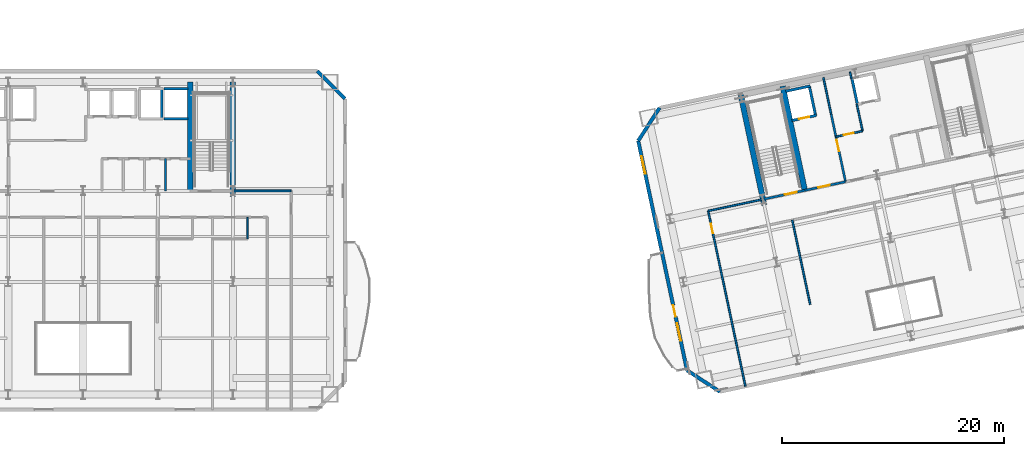
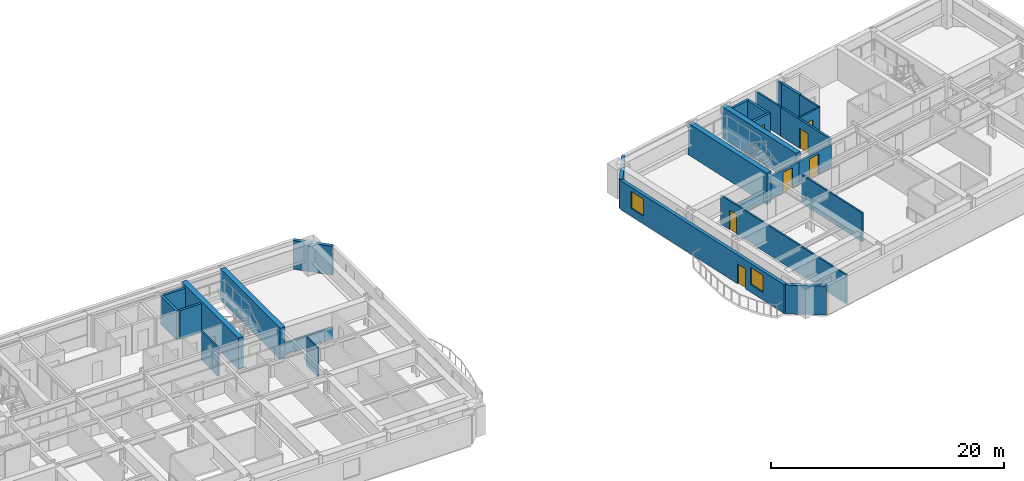
# One storey, part 9 of 15: 28 walls, 7 doors, 2 windows, 9 openings.
"""IFC4 building model written with IfcOpenShell, lengths in metres."""

from ifc_helpers import new_model, si_unit, direction, frame, frame_2d, origin, place, context, subcontext, project, spatial, rectangle, extrude, material, layer, layer_set, type_object, element, fill, save


model = new_model("IFC4")

# Units and contexts
model_context = context("Model", 3, precision=1e-05, world=origin(), true_north=direction((0.0, 1.0)))
body_context = subcontext(model_context, "Body", "Model", "MODEL_VIEW")
ifc_project = project(units=[si_unit("LENGTHUNIT", "METRE"), si_unit("AREAUNIT", "SQUARE_METRE"), si_unit("VOLUMEUNIT", "CUBIC_METRE"), si_unit("PLANEANGLEUNIT", "RADIAN"), si_unit("MASSUNIT", "GRAM", prefix="KILO")], contexts=[model_context])

# Site, building, storey
site_placement = place(None, origin())
site = spatial("IfcSite", under=ifc_project, at=site_placement, CompositionType="ELEMENT")
building_placement = place(site_placement, origin())
building = spatial("IfcBuilding", under=site, at=building_placement, Name="Haevon Station Towers", CompositionType="ELEMENT")
storey_placement = place(building_placement, frame((0.0, 0.0, 109.800048828125)))
storey = spatial("IfcBuildingStorey", under=building, at=storey_placement, Name="L29", CompositionType="ELEMENT", Elevation=109.800048828125)

# Wall
ifc_material_1 = material(Name="Gypsum board on steel stud", Category="steel")
ifc_layer_1 = layer(ifc_material_1, 0.179931640625)
ifc_layer_set_1 = layer_set([ifc_layer_1], Name="Gypsum board on steel stud")
wall_type_1 = type_object("IfcWallType", Name="WL-ACU180", PredefinedType="PARTITIONING", material=ifc_layer_set_1)
wall_1_placement = place(storey_placement, frame((51.0, 38.199951171875, 0.0), z_axis=(0.0, 0.0, 1.0), x_axis=(1.0, 0.0, 0.0)))
element("IfcWall", 1, at=wall_1_placement, inside=storey, type_object=wall_type_1, Name="WL-T1PT-L29-03", PredefinedType="PARTITIONING", context=body_context, shape_type="SweptSolid", body=[
    extrude(rectangle(XDim=5.25, YDim=0.179931640625, at=frame_2d((2.625, 0.0))), origin(), (0.0, 0.0, 1.0), 1.22998046875),
])

# Wall, opening, door
ifc_layer_2 = layer(ifc_material_1, 0.199951171875)
ifc_layer_set_2 = layer_set([ifc_layer_2], Name="Gypsum board on steel stud")
wall_type_2 = type_object("IfcWallType", Name="WL-COR200", PredefinedType="PARTITIONING", material=ifc_layer_set_2)
wall_2_placement = place(storey_placement, frame((98.75244140625, 37.4423828125, 0.0), z_axis=(0.0, 0.0, 1.0), x_axis=(0.978143537786, 0.207930804564, 0.0)))
wall_2 = element("IfcWall", 2, at=wall_2_placement, inside=storey, type_object=wall_type_2, Name="WL-ST-ST3-L29", PredefinedType="PARTITIONING", context=body_context, shape_type="SweptSolid", body=[
    extrude(rectangle(XDim=3.85009765625, YDim=0.199951171875, at=frame_2d((1.925048828125, 0.0))), origin(), (0.0, 0.0, 1.0), 2.3798828125),
])
opening_1_placement = place(wall_2_placement, frame((2.0, 0.0, 0.0)))
opening_1 = element("IfcOpeningElement", 3, at=opening_1_placement, cuts=wall_2, Name="Opening DR-ST-ST3-L29", PredefinedType="OPENING", context=body_context, shape_type="SweptSolid", body=[
    extrude(rectangle(XDim=1.1201171875, YDim=2.10009765625, at=frame_2d((0.56005859375, 1.050048828125))), frame((0.0, 0.10986328125, 0.0), z_axis=(0.0, -1.0, 0.0), x_axis=(1.0, 0.0, 0.0)), (0.0, 0.0, 1.0), 0.219970703125),
])
ifc_material_2 = material(Name="Engineered oak timber", Category="wood")
door_type_1 = type_object("IfcDoorType", Name="DR-ST-1120", OperationType="NOTDEFINED", PredefinedType="DOOR", material=ifc_material_2)
door_1_placement = place(opening_1_placement, origin())
door_1 = element("IfcDoor", 4, at=door_1_placement, inside=storey, type_object=door_type_1, Name="L29 Escape Stair ST3 Fire Door", OperationType="SINGLE_SWING_LEFT", OverallHeight=2.10009765625, OverallWidth=1.1201171875, PredefinedType="DOOR", context=body_context, shape_type="SweptSolid", body=[
    extrude(rectangle(XDim=1.1201171875, YDim=2.10009765625, at=frame_2d((0.56005859375, 1.050048828125))), frame((0.0, 0.02490234375, 0.0), z_axis=(0.0, -1.0, 0.0), x_axis=(1.0, 0.0, 0.0)), (0.0, 0.0, 1.0), 0.050048828125),
])
fill(opening_1, door_1)

wall_3_placement = place(storey_placement, frame((106.186279296875, 39.0224609375, 0.0), z_axis=(0.0, 0.0, 1.0), x_axis=(-0.207916691923, 0.978146537703, 0.0)))
wall_3 = element("IfcWall", 5, at=wall_3_placement, inside=storey, type_object=wall_type_2, Name="WL-T2FFL-L29-E", PredefinedType="PARTITIONING", context=body_context, shape_type="SweptSolid", body=[
    extrude(rectangle(XDim=6.35009765625, YDim=0.199951171875, at=frame_2d((3.175048828125, 0.0))), origin(), (0.0, 0.0, 1.0), 3.030029296875),
])
opening_2_placement = place(wall_3_placement, frame((2.800048828125, 0.0, 0.0)))
opening_2 = element("IfcOpeningElement", 6, at=opening_2_placement, cuts=wall_3, Name="Opening DR-T2FFL-L29-E", PredefinedType="OPENING", context=body_context, shape_type="SweptSolid", body=[
    extrude(rectangle(XDim=1.050048828125, YDim=2.10009765625, at=frame_2d((0.52490234375, 1.050048828125))), frame((0.0, 0.10986328125, 0.0), z_axis=(0.0, -1.0, 0.0), x_axis=(1.0, 0.0, 0.0)), (0.0, 0.0, 1.0), 0.219970703125),
])
door_type_2 = type_object("IfcDoorType", Name="DR-FD60-1050", OperationType="NOTDEFINED", PredefinedType="DOOR", material=ifc_material_2)
door_2_placement = place(opening_2_placement, origin())
door_2 = element("IfcDoor", 7, at=door_2_placement, inside=storey, type_object=door_type_2, Name="L29 Tower 2 Firefighting Lift Lobby Door E", OperationType="SINGLE_SWING_LEFT", OverallHeight=2.10009765625, OverallWidth=1.050048828125, PredefinedType="DOOR", context=body_context, shape_type="SweptSolid", body=[
    extrude(rectangle(XDim=1.050048828125, YDim=2.10009765625, at=frame_2d((0.52490234375, 1.050048828125))), frame((0.0, 0.02490234375, 0.0), z_axis=(0.0, -1.0, 0.0), x_axis=(1.0, 0.0, 0.0)), (0.0, 0.0, 1.0), 0.050048828125),
])
fill(opening_2, door_2)

wall_4_placement = place(storey_placement, frame((102.518310546875, 38.242919921875, 0.0), z_axis=(0.0, 0.0, 1.0), x_axis=(0.978153555683, 0.20788367301, 0.0)))
wall_4 = element("IfcWall", 8, at=wall_4_placement, inside=storey, type_object=wall_type_2, Name="WL-T2FFL-L29-S", PredefinedType="PARTITIONING", context=body_context, shape_type="SweptSolid", body=[
    extrude(rectangle(XDim=3.75, YDim=0.199951171875, at=frame_2d((1.875, 0.0))), origin(), (0.0, 0.0, 1.0), 2.3798828125),
])
opening_3_placement = place(wall_4_placement, frame((1.25, 0.0, 0.0)))
opening_3 = element("IfcOpeningElement", 9, at=opening_3_placement, cuts=wall_4, Name="Opening DR-T2FFL-L29-S", PredefinedType="OPENING", context=body_context, shape_type="SweptSolid", body=[
    extrude(rectangle(XDim=1.050048828125, YDim=2.10009765625, at=frame_2d((0.52490234375, 1.050048828125))), frame((0.0, 0.10986328125, 0.0), z_axis=(0.0, -1.0, 0.0), x_axis=(1.0, 0.0, 0.0)), (0.0, 0.0, 1.0), 0.219970703125),
])
door_3_placement = place(opening_3_placement, origin())
door_3 = element("IfcDoor", 10, at=door_3_placement, inside=storey, type_object=door_type_2, Name="L29 Tower 2 Firefighting Lift Lobby Door S", OperationType="SINGLE_SWING_RIGHT", OverallHeight=2.10009765625, OverallWidth=1.050048828125, PredefinedType="DOOR", context=body_context, shape_type="SweptSolid", body=[
    extrude(rectangle(XDim=1.050048828125, YDim=2.10009765625, at=frame_2d((0.52490234375, 1.050048828125))), frame((0.0, 0.02490234375, 0.0), z_axis=(0.0, -1.0, 0.0), x_axis=(1.0, 0.0, 0.0)), (0.0, 0.0, 1.0), 0.050048828125),
])
fill(opening_3, door_3)

# Walls
ifc_material_3 = material(Name="Concrete C60/75", Category="concrete")
ifc_layer_3 = layer(ifc_material_3, 0.5)
ifc_layer_set_3 = layer_set([ifc_layer_3], Name="Concrete C60/75")
wall_type_3 = type_object("IfcWallType", Name="WL-CR500", PredefinedType="SHEAR", material=ifc_layer_set_3)
wall_5_placement = place(storey_placement, frame((51.0, 37.679931640625, 0.0), z_axis=(0.0, 0.0, 1.0), x_axis=(0.0, 1.0, 0.0)))
element("IfcWall", 11, at=wall_5_placement, inside=storey, type_object=wall_type_3, Name="WL-T1CR-L29-E", PredefinedType="SHEAR", context=body_context, shape_type="SweptSolid", body=[
    extrude(rectangle(XDim=10.320068359375, YDim=0.5, at=frame_2d((5.16015625, 0.0))), origin(), (0.0, 0.0, 1.0), 3.300048828125),
])
wall_6_placement = place(storey_placement, frame((47.14990234375, 38.199951171875, 0.0), z_axis=(0.0, 0.0, 1.0), x_axis=(0.0, 1.0, 0.0)))
element("IfcWall", 12, at=wall_6_placement, inside=storey, type_object=wall_type_3, Name="WL-T1CR-L29-M2", PredefinedType="SHEAR", context=body_context, shape_type="SweptSolid", body=[
    extrude(rectangle(XDim=9.800048828125, YDim=0.5, at=frame_2d((4.89990234375, 0.0))), origin(), (0.0, 0.0, 1.0), 3.300048828125),
])
wall_7_placement = place(storey_placement, frame((98.8603515625, 36.933837890625, 0.0), z_axis=(0.0, 0.0, 1.0), x_axis=(-0.20790924889, 0.978148119778, 0.0)))
element("IfcWall", 13, at=wall_7_placement, inside=storey, type_object=wall_type_3, Name="WL-T2CR-L29-W", PredefinedType="SHEAR", context=body_context, shape_type="SweptSolid", body=[
    extrude(rectangle(XDim=10.119873046875, YDim=0.5, at=frame_2d((5.06005859375, 0.0))), origin(), (0.0, 0.0, 1.0), 3.300048828125),
])
wall_8_placement = place(storey_placement, frame((102.518310546875, 38.242919921875, 0.0), z_axis=(0.0, 0.0, 1.0), x_axis=(-0.207927495108, 0.978144241295, 0.0)))
element("IfcWall", 14, at=wall_8_placement, inside=storey, type_object=wall_type_3, Name="WL-T2CR-L29-M1", PredefinedType="SHEAR", context=body_context, shape_type="SweptSolid", body=[
    extrude(rectangle(XDim=9.599853515625, YDim=0.5, at=frame_2d((4.7998046875, 0.0))), origin(), (0.0, 0.0, 1.0), 3.300048828125),
])
ifc_material_4 = material(Name="Precast concrete C45/55", Category="concrete")
ifc_layer_4 = layer(ifc_material_4, 0.320068359375)
ifc_layer_set_4 = layer_set([ifc_layer_4], Name="Precast concrete C45/55")
wall_type_4 = type_object("IfcWallType", Name="WL-EXT-PIER320", PredefinedType="SOLIDWALL", material=ifc_layer_set_4)
for number, where, z_axis, x_axis, name in (
    (15, (58.60009765625, 49.0, 0.0), (0.0, 0.0, 1.0), (0.707106781187, -0.707106781187, 0.0), "WL-T1-L29-NEC"),
    (16, (94.871826171875, 20.106689453125, 0.0), (0.0, 0.0, 1.0), (-0.838640767148, 0.544684921471, 0.0), "WL-T2-L29-SWC"),
):
    element("IfcWall", number, at=place(storey_placement, frame(where, z_axis=z_axis, x_axis=x_axis)), inside=storey, type_object=wall_type_4, Name=name, PredefinedType="SOLIDWALL", context=body_context, shape_type="SweptSolid", body=[
        extrude(rectangle(XDim=3.53564453125, YDim=0.320068359375, at=frame_2d((1.767822265625, 0.0))), origin(), (0.0, 0.0, 1.0), 3.030029296875),
    ])

# Wall, openings, door, windows
wall_9_placement = place(storey_placement, frame((91.90673828125, 22.032470703125, 0.0), z_axis=(0.0, 0.0, 1.0), x_axis=(-0.207918258146, 0.978146204782, 0.0)))
wall_9 = element("IfcWall", 17, at=wall_9_placement, inside=storey, type_object=wall_type_4, Name="WL-T2-L29-W", PredefinedType="SOLIDWALL", context=body_context, shape_type="SweptSolid", body=[
    extrude(rectangle(XDim=21.14990234375, YDim=0.320068359375, at=frame_2d((10.574951171875, 0.0))), origin(), (0.0, 0.0, 1.0), 3.030029296875),
])
opening_4_placement = place(wall_9_placement, frame((4.949951171875, 0.0, 0.0)))
opening_4 = element("IfcOpeningElement", 18, at=opening_4_placement, cuts=wall_9, Name="Opening DR-T2-SCAL-L29-W", PredefinedType="OPENING", context=body_context, shape_type="SweptSolid", body=[
    extrude(rectangle(XDim=1.050048828125, YDim=2.10009765625, at=frame_2d((0.52490234375, 1.050048828125))), frame((0.0, 0.169921875, 0.0), z_axis=(0.0, -1.0, 0.0), x_axis=(1.0, 0.0, 0.0)), (0.0, 0.0, 1.0), 0.340087890625),
])
opening_5_placement = place(wall_9_placement, frame((2.72314453125, 0.0, 0.800048828125)))
opening_5 = element("IfcOpeningElement", 19, at=opening_5_placement, cuts=wall_9, Name="Opening WN-END160", PredefinedType="OPENING", context=body_context, shape_type="SweptSolid", body=[
    extrude(rectangle(XDim=1.60009765625, YDim=1.800048828125, at=frame_2d((0.800048828125, 0.89990234375))), frame((0.0, 0.169921875, 0.0), z_axis=(0.0, -1.0, 0.0), x_axis=(1.0, 0.0, 0.0)), (0.0, 0.0, 1.0), 0.340087890625),
])
opening_6_placement = place(wall_9_placement, frame((18.10888671875, 0.0, 0.800048828125)))
opening_6 = element("IfcOpeningElement", 20, at=opening_6_placement, cuts=wall_9, Name="Opening WN-END160", PredefinedType="OPENING", context=body_context, shape_type="SweptSolid", body=[
    extrude(rectangle(XDim=1.60009765625, YDim=1.800048828125, at=frame_2d((0.800048828125, 0.89990234375))), frame((0.0, 0.169921875, 0.0), z_axis=(0.0, -1.0, 0.0), x_axis=(1.0, 0.0, 0.0)), (0.0, 0.0, 1.0), 0.340087890625),
])
ifc_material_5 = material(Name="Thermally broken anodised aluminium and laminated safety glass", Category="aluminium")
door_type_3 = type_object("IfcDoorType", Name="DR-BALC-1050", OperationType="NOTDEFINED", PredefinedType="DOOR", material=ifc_material_5)
door_4_placement = place(opening_4_placement, origin())
door_4 = element("IfcDoor", 21, at=door_4_placement, inside=storey, type_object=door_type_3, Name="Tower 2 L29 West Scalloped Balcony Door", OperationType="SINGLE_SWING_RIGHT", OverallHeight=2.10009765625, OverallWidth=1.050048828125, PredefinedType="DOOR", context=body_context, shape_type="SweptSolid", body=[
    extrude(rectangle(XDim=1.050048828125, YDim=2.10009765625, at=frame_2d((0.52490234375, 1.050048828125))), frame((0.0, 0.02490234375, 0.0), z_axis=(0.0, -1.0, 0.0), x_axis=(1.0, 0.0, 0.0)), (0.0, 0.0, 1.0), 0.050048828125),
])
fill(opening_4, door_4)
ifc_material_6 = material(Name="Low-E triple glazing in thermally broken aluminium", Category="aluminium")
window_type = type_object("IfcWindowType", Name="WN-END160", PartitioningType="SINGLE_PANEL", PredefinedType="WINDOW", material=ifc_material_6)
window_1_placement = place(opening_5_placement, origin())
window_1 = element("IfcWindow", 22, at=window_1_placement, inside=storey, type_object=window_type, Name="WN-T2-L29-W01", OverallHeight=1.800048828125, OverallWidth=1.60009765625, PartitioningType="SINGLE_PANEL", PredefinedType="WINDOW", context=body_context, shape_type="SweptSolid", body=[
    extrude(rectangle(XDim=1.60009765625, YDim=1.800048828125, at=frame_2d((0.800048828125, 0.89990234375))), frame((0.0, 0.030029296875, 0.0), z_axis=(0.0, -1.0, 0.0), x_axis=(1.0, 0.0, 0.0)), (0.0, 0.0, 1.0), 0.06005859375),
])
fill(opening_5, window_1)
window_2_placement = place(opening_6_placement, origin())
window_2 = element("IfcWindow", 23, at=window_2_placement, inside=storey, type_object=window_type, Name="WN-T2-L29-W02", OverallHeight=1.800048828125, OverallWidth=1.60009765625, PartitioningType="SINGLE_PANEL", PredefinedType="WINDOW", context=body_context, shape_type="SweptSolid", body=[
    extrude(rectangle(XDim=1.60009765625, YDim=1.800048828125, at=frame_2d((0.800048828125, 0.89990234375))), frame((0.0, 0.030029296875, 0.0), z_axis=(0.0, -1.0, 0.0), x_axis=(1.0, 0.0, 0.0)), (0.0, 0.0, 1.0), 0.06005859375),
])
fill(opening_6, window_2)

# Walls
wall_10_placement = place(storey_placement, frame((87.50927734375, 42.72021484375, 0.0), z_axis=(0.0, 0.0, 1.0), x_axis=(0.544684921471, 0.838640767148, 0.0)))
element("IfcWall", 24, at=wall_10_placement, inside=storey, type_object=wall_type_4, Name="WL-T2-L29-NWC", PredefinedType="SOLIDWALL", context=body_context, shape_type="SweptSolid", body=[
    extrude(rectangle(XDim=3.53564453125, YDim=0.320068359375, at=frame_2d((1.767822265625, 0.0))), origin(), (0.0, 0.0, 1.0), 3.030029296875),
])
ifc_layer_5 = layer(ifc_material_1, 0.125)
ifc_layer_set_5 = layer_set([ifc_layer_5], Name="Gypsum board on steel stud")
wall_type_5 = type_object("IfcWallType", Name="WL-PRT125", PredefinedType="PARTITIONING", material=ifc_layer_set_5)
wall_11_placement = place(storey_placement, frame((52.320068359375, 33.8701171875, 0.0), z_axis=(0.0, 0.0, 1.0), x_axis=(0.0, 1.0, 0.0)))
element("IfcWall", 25, at=wall_11_placement, inside=storey, type_object=wall_type_5, Name="WL-T1PT-L29-24", PredefinedType="PARTITIONING", context=body_context, shape_type="SweptSolid", body=[
    extrude(rectangle(XDim=1.949951171875, YDim=0.125, at=frame_2d((0.97509765625, 0.0))), origin(), (0.0, 0.0, 1.0), 3.030029296875),
])
ifc_layer_6 = layer(ifc_material_1, 0.159912109375)
ifc_layer_set_6 = layer_set([ifc_layer_6], Name="Gypsum board on steel stud")
wall_type_6 = type_object("IfcWallType", Name="WL-PRT160", PredefinedType="PARTITIONING", material=ifc_layer_set_6)
wall_12_placement = place(storey_placement, frame((44.929931640625, 38.199951171875, 0.0), z_axis=(0.0, 0.0, 1.0), x_axis=(0.0, 1.0, 0.0)))
element("IfcWall", 26, at=wall_12_placement, inside=storey, type_object=wall_type_6, Name="WL-T1CW-L29-07", PredefinedType="PARTITIONING", context=body_context, shape_type="SweptSolid", body=[
    extrude(rectangle(XDim=2.900146484375, YDim=0.159912109375, at=frame_2d((1.4501953125, 0.0))), origin(), (0.0, 0.0, 1.0), 3.030029296875),
])
wall_13_placement = place(storey_placement, frame((104.88671875, 45.135986328125, 0.0), z_axis=(0.0, 0.0, 1.0), x_axis=(-0.207846553267, 0.978161443881, 0.0)))
element("IfcWall", 27, at=wall_13_placement, inside=storey, type_object=wall_type_6, Name="WL-T2CW-L29-01", PredefinedType="PARTITIONING", context=body_context, shape_type="SweptSolid", body=[
    extrude(rectangle(XDim=3.35009765625, YDim=0.159912109375, at=frame_2d((1.675048828125, 0.0))), origin(), (0.0, 0.0, 1.0), 3.030029296875),
])

# Wall, opening, door
wall_14_placement = place(storey_placement, frame((105.323486328125, 43.081787109375, 0.0), z_axis=(0.0, 0.0, 1.0), x_axis=(0.978136559131, 0.207963630695, 0.0)))
wall_14 = element("IfcWall", 28, at=wall_14_placement, inside=storey, type_object=wall_type_6, Name="WL-T2CW-L29-02", PredefinedType="PARTITIONING", context=body_context, shape_type="SweptSolid", body=[
    extrude(rectangle(XDim=2.449951171875, YDim=0.159912109375, at=frame_2d((1.22509765625, 0.0))), origin(), (0.0, 0.0, 1.0), 3.030029296875),
])
opening_7_placement = place(wall_14_placement, frame((0.719970703125, 0.0, 0.0)))
opening_7 = element("IfcOpeningElement", 29, at=opening_7_placement, cuts=wall_14, Name="Opening DR-WL-T2CW-L29-02-1", PredefinedType="OPENING", context=body_context, shape_type="SweptSolid", body=[
    extrude(rectangle(XDim=0.89990234375, YDim=2.10009765625, at=frame_2d((0.449951171875, 1.050048828125))), frame((0.0, 0.08984375, 0.0), z_axis=(0.0, -1.0, 0.0), x_axis=(1.0, 0.0, 0.0)), (0.0, 0.0, 1.0), 0.179931640625),
])
door_type_4 = type_object("IfcDoorType", Name="DR-FD60-900", OperationType="NOTDEFINED", PredefinedType="DOOR", material=ifc_material_2)
door_5_placement = place(opening_7_placement, origin())
door_5 = element("IfcDoor", 30, at=door_5_placement, inside=storey, type_object=door_type_4, Name="L29 Tower 2 Core Room Door 2-1", OperationType="SINGLE_SWING_RIGHT", OverallHeight=2.10009765625, OverallWidth=0.89990234375, PredefinedType="DOOR", context=body_context, shape_type="SweptSolid", body=[
    extrude(rectangle(XDim=0.89990234375, YDim=2.10009765625, at=frame_2d((0.449951171875, 1.050048828125))), frame((0.0, 0.02490234375, 0.0), z_axis=(0.0, -1.0, 0.0), x_axis=(1.0, 0.0, 0.0)), (0.0, 0.0, 1.0), 0.050048828125),
])
fill(opening_7, door_5)

# Walls
wall_15_placement = place(storey_placement, frame((107.719970703125, 43.59130859375, 0.0), z_axis=(0.0, 0.0, 1.0), x_axis=(-0.207914818928, 0.978146935828, 0.0)))
element("IfcWall", 31, at=wall_15_placement, inside=storey, type_object=wall_type_6, Name="WL-T2CW-L29-03", PredefinedType="PARTITIONING", context=body_context, shape_type="SweptSolid", body=[
    extrude(rectangle(XDim=2.5, YDim=0.159912109375, at=frame_2d((1.25, 0.0))), origin(), (0.0, 0.0, 1.0), 3.030029296875),
])
wall_16_placement = place(storey_placement, frame((106.721923828125, 48.286376953125, 0.0), z_axis=(0.0, 0.0, 1.0), x_axis=(-0.208092352933, 0.978109182377, 0.0)))
element("IfcWall", 32, at=wall_16_placement, inside=storey, type_object=wall_type_6, Name="WL-T2CW-L29-04", PredefinedType="PARTITIONING", context=body_context, shape_type="SweptSolid", body=[
    extrude(rectangle(XDim=0.64990234375, YDim=0.159912109375, at=frame_2d((0.324951171875, 0.0))), origin(), (0.0, 0.0, 1.0), 3.030029296875),
])
wall_17_placement = place(storey_placement, frame((93.812744140625, 36.392578125, 0.0), z_axis=(0.0, 0.0, 1.0), x_axis=(0.978154058851, 0.207881305445, 0.0)))
element("IfcWall", 33, at=wall_17_placement, inside=storey, type_object=wall_type_6, Name="WL-T2PT-L29-02", PredefinedType="PARTITIONING", context=body_context, shape_type="SweptSolid", body=[
    extrude(rectangle(XDim=5.050048828125, YDim=0.159912109375, at=frame_2d((2.52490234375, 0.0))), origin(), (0.0, 0.0, 1.0), 1.22998046875),
])

# Wall, opening, door
wall_18_placement = place(storey_placement, frame((97.17041015625, 20.595458984375, 0.0), z_axis=(0.0, 0.0, 1.0), x_axis=(-0.20790485933, 0.978149052786, 0.0)))
wall_18 = element("IfcWall", 34, at=wall_18_placement, inside=storey, type_object=wall_type_6, Name="WL-T2PT-L29-04", PredefinedType="PARTITIONING", context=body_context, shape_type="SweptSolid", body=[
    extrude(rectangle(XDim=16.14990234375, YDim=0.159912109375, at=frame_2d((8.074951171875, 0.0))), origin(), (0.0, 0.0, 1.0), 3.030029296875),
])
opening_8_placement = place(wall_18_placement, frame((14.090087890625, 0.0, 0.0)))
opening_8 = element("IfcOpeningElement", 35, at=opening_8_placement, cuts=wall_18, Name="Opening DR-WL-T2PT-L29-04-01", PredefinedType="OPENING", context=body_context, shape_type="SweptSolid", body=[
    extrude(rectangle(XDim=0.89990234375, YDim=2.050048828125, at=frame_2d((0.449951171875, 1.02490234375))), frame((0.0, 0.08984375, 0.0), z_axis=(0.0, -1.0, 0.0), x_axis=(1.0, 0.0, 0.0)), (0.0, 0.0, 1.0), 0.179931640625),
])
door_type_5 = type_object("IfcDoorType", Name="DR-INT-900", OperationType="NOTDEFINED", PredefinedType="DOOR", material=ifc_material_2)
door_6_placement = place(opening_8_placement, origin())
door_6 = element("IfcDoor", 36, at=door_6_placement, inside=storey, type_object=door_type_5, Name="L29 Tower 2 Room Door 4-1", OperationType="SINGLE_SWING_LEFT", OverallHeight=2.050048828125, OverallWidth=0.89990234375, PredefinedType="DOOR", context=body_context, shape_type="SweptSolid", body=[
    extrude(rectangle(XDim=0.89990234375, YDim=2.050048828125, at=frame_2d((0.449951171875, 1.02490234375))), frame((0.0, 0.02490234375, 0.0), z_axis=(0.0, -1.0, 0.0), x_axis=(1.0, 0.0, 0.0)), (0.0, 0.0, 1.0), 0.050048828125),
])
fill(opening_8, door_6)

# Walls
wall_19_placement = place(storey_placement, frame((103.00244140625, 27.968994140625, 0.0), z_axis=(0.0, 0.0, 1.0), x_axis=(-0.207908735063, 0.978148228994, 0.0)))
element("IfcWall", 37, at=wall_19_placement, inside=storey, type_object=wall_type_6, Name="WL-T2PT-L29-10", PredefinedType="PARTITIONING", context=body_context, shape_type="SweptSolid", body=[
    extrude(rectangle(XDim=7.77001953125, YDim=0.159912109375, at=frame_2d((3.885009765625, 0.0))), origin(), (0.0, 0.0, 1.0), 3.030029296875),
])
ifc_material_7 = material(Name="Concrete C40/50", Category="concrete")
ifc_layer_7 = layer(ifc_material_7, 0.239990234375)
ifc_layer_set_7 = layer_set([ifc_layer_7], Name="Concrete C40/50")
wall_type_7 = type_object("IfcWallType", Name="WL-SHF240", PredefinedType="PARTITIONING", material=ifc_layer_set_7)
wall_20_placement = place(storey_placement, frame((44.60009765625, 44.699951171875, 0.0), z_axis=(0.0, 0.0, 1.0), x_axis=(0.0, 1.0, 0.0)))
element("IfcWall", 38, at=wall_20_placement, inside=storey, type_object=wall_type_7, Name="WL-SHF-PL5-L29-E", PredefinedType="PARTITIONING", context=body_context, shape_type="SweptSolid", body=[
    extrude(rectangle(XDim=2.699951171875, YDim=0.239990234375, at=frame_2d((1.35009765625, 0.0))), origin(), (0.0, 0.0, 1.0), 3.030029296875),
])
for number, where, z_axis, x_axis, name in (
    (39, (44.77001953125, 44.699951171875, 0.0), (0.0, 0.0, 1.0), (1.0, 0.0, 0.0), "WL-SHF-PL6-L29"),
    (40, (44.77001953125, 47.39990234375, 0.0), (0.0, 0.0, 1.0), (1.0, 0.0, 0.0), "WL-SHF-PL6-L29-N"),
):
    element("IfcWall", number, at=place(storey_placement, frame(where, z_axis=z_axis, x_axis=x_axis)), inside=storey, type_object=wall_type_7, Name=name, PredefinedType="PARTITIONING", context=body_context, shape_type="SweptSolid", body=[
        extrude(rectangle(XDim=2.159912109375, YDim=0.239990234375, at=frame_2d((1.080078125, 0.0))), origin(), (0.0, 0.0, 1.0), 3.030029296875),
    ])

# Wall, opening, door
wall_21_placement = place(storey_placement, frame((101.353759765625, 44.538330078125, 0.0), z_axis=(0.0, 0.0, 1.0), x_axis=(0.978141002414, 0.207942731049, 0.0)))
wall_21 = element("IfcWall", 41, at=wall_21_placement, inside=storey, type_object=wall_type_7, Name="WL-SHF-FL2-L29", PredefinedType="PARTITIONING", context=body_context, shape_type="SweptSolid", body=[
    extrude(rectangle(XDim=2.260009765625, YDim=0.239990234375, at=frame_2d((1.1298828125, 0.0))), origin(), (0.0, 0.0, 1.0), 3.030029296875),
])
opening_9_placement = place(wall_21_placement, frame((0.655029296875, 0.0, 0.0)))
opening_9 = element("IfcOpeningElement", 42, at=opening_9_placement, cuts=wall_21, Name="Opening LD-FL2-L29", PredefinedType="OPENING", context=body_context, shape_type="SweptSolid", body=[
    extrude(rectangle(XDim=0.949951171875, YDim=2.14990234375, at=frame_2d((0.47509765625, 1.074951171875))), frame((0.0, 0.1298828125, 0.0), z_axis=(0.0, -1.0, 0.0), x_axis=(1.0, 0.0, 0.0)), (0.0, 0.0, 1.0), 0.260009765625),
])
ifc_material_8 = material(Name="Stainless steel and rated core", Category="steel")
door_type_6 = type_object("IfcDoorType", Name="LD-FL950", OperationType="SLIDING_TO_LEFT", PredefinedType="DOOR", material=ifc_material_8)
door_7_placement = place(opening_9_placement, origin())
door_7 = element("IfcDoor", 43, at=door_7_placement, inside=storey, type_object=door_type_6, Name="L29 Lift FL2 Sliding Landing Door", OperationType="SLIDING_TO_LEFT", OverallHeight=2.14990234375, OverallWidth=0.949951171875, PredefinedType="DOOR", context=body_context, shape_type="SweptSolid", body=[
    extrude(rectangle(XDim=0.949951171875, YDim=2.14990234375, at=frame_2d((0.47509765625, 1.074951171875))), frame((0.0, 0.02490234375, 0.0), z_axis=(0.0, -1.0, 0.0), x_axis=(1.0, 0.0, 0.0)), (0.0, 0.0, 1.0), 0.050048828125),
])
fill(opening_9, door_7)

# Walls
wall_22_placement = place(storey_placement, frame((100.79248046875, 47.179443359375, 0.0), z_axis=(0.0, 0.0, 1.0), x_axis=(0.978162968872, 0.207839376268, 0.0)))
element("IfcWall", 44, at=wall_22_placement, inside=storey, type_object=wall_type_7, Name="WL-SHF-FL2-L29-N", PredefinedType="PARTITIONING", context=body_context, shape_type="SweptSolid", body=[
    extrude(rectangle(XDim=2.260009765625, YDim=0.239990234375, at=frame_2d((1.1298828125, 0.0))), origin(), (0.0, 0.0, 1.0), 3.030029296875),
])
wall_23_placement = place(storey_placement, frame((103.486328125, 44.99169921875, 0.0), z_axis=(0.0, 0.0, 1.0), x_axis=(-0.207978798957, 0.978133334052, 0.0)))
element("IfcWall", 45, at=wall_23_placement, inside=storey, type_object=wall_type_7, Name="WL-SHF-FL2-L29-E", PredefinedType="PARTITIONING", context=body_context, shape_type="SweptSolid", body=[
    extrude(rectangle(XDim=2.699951171875, YDim=0.239990234375, at=frame_2d((1.35009765625, 0.0))), origin(), (0.0, 0.0, 1.0), 3.030029296875),
])
wall_24_placement = place(storey_placement, frame((107.259521484375, 45.998046875, 0.0), z_axis=(0.0, 0.0, 1.0), x_axis=(-0.207917150959, 0.978146440129, 0.0)))
element("IfcWall", 46, at=wall_24_placement, inside=storey, type_object=wall_type_7, Name="WL-SHF-PL8-L29-W", PredefinedType="PARTITIONING", context=body_context, shape_type="SweptSolid", body=[
    extrude(rectangle(XDim=2.400146484375, YDim=0.239990234375, at=frame_2d((1.2001953125, 0.0))), origin(), (0.0, 0.0, 1.0), 3.030029296875),
])

save(model, "model.ifc")
